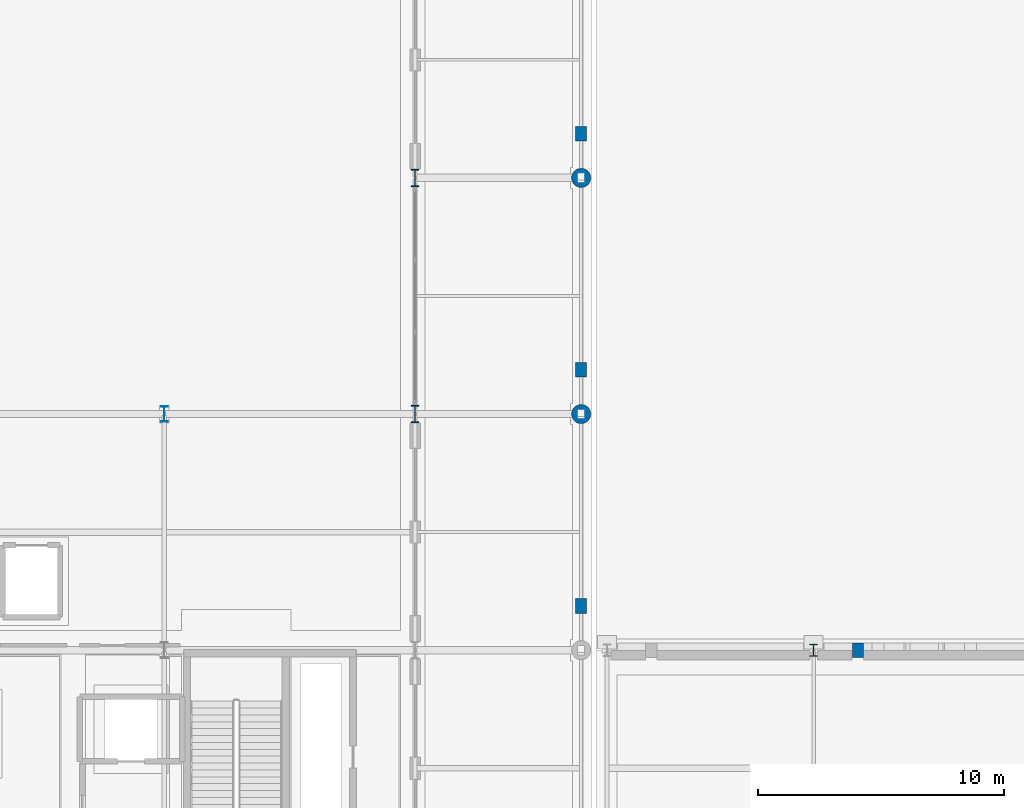
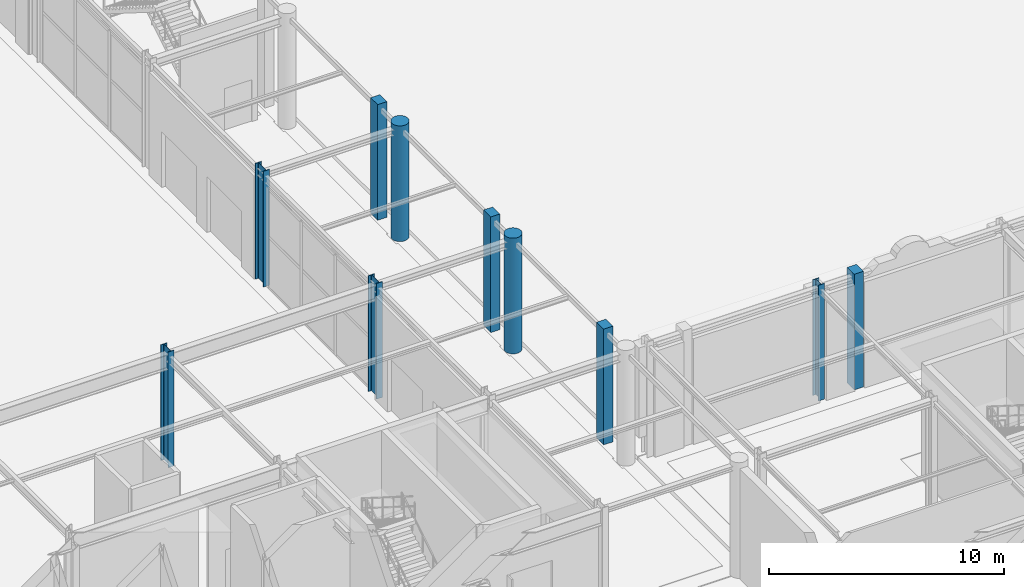
# One storey, part 9 of 113: 10 columns.
"""IFC4 building model written with IfcOpenShell, lengths in metres."""

from ifc_helpers import new_model, si_unit, direction, frame, origin, origin_2d, place, context, subcontext, project, spatial, rectangle, circle, i_section, extrude, material, material_profile, profile_set, type_object, element, save


model = new_model("IFC4")

# Units and contexts
model_context = context("Model", 3, precision=1e-05, world=origin(), true_north=direction((0.0, 1.0)))
body_context = subcontext(model_context, "Body", "Model", "MODEL_VIEW")
ifc_project = project(units=[si_unit("LENGTHUNIT", "METRE"), si_unit("AREAUNIT", "SQUARE_METRE"), si_unit("VOLUMEUNIT", "CUBIC_METRE"), si_unit("PLANEANGLEUNIT", "RADIAN"), si_unit("MASSUNIT", "GRAM", prefix="KILO")], contexts=[model_context])

# Site, building, storey
site_placement = place(None, origin())
site = spatial("IfcSite", under=ifc_project, at=site_placement, CompositionType="ELEMENT")
building_placement = place(site_placement, origin())
building = spatial("IfcBuilding", under=site, at=building_placement, Name="Myrtia Square Station", CompositionType="ELEMENT")
storey_placement = place(building_placement, origin())
storey = spatial("IfcBuildingStorey", under=building, at=storey_placement, Name="L00", CompositionType="ELEMENT", Elevation=0.0)

# Columns
ifc_material_1 = material(Name="Steel S355", Category="steel")
ifc_material_profile_1 = material_profile(ifc_material_1, i_section(OverallWidth=0.300048828125, OverallDepth=0.639892578125, WebThickness=0.013427734375, FlangeThickness=0.02587890625, FilletRadius=0.027099609375, at=origin_2d()), Name="HEA 650")
ifc_profile_set_1 = profile_set([ifc_material_profile_1], Name="Steel S355")
column_type_1 = type_object("IfcColumnType", Name="COL-HEA650", PredefinedType="COLUMN", material=ifc_profile_set_1)
column_1_placement = place(storey_placement, frame((99.60009765625, 48.0, 0.0), z_axis=(0.0, 0.0, 1.0), x_axis=(1.0, 0.0, 0.0)))
element("IfcColumn", 1, at=column_1_placement, inside=storey, type_object=column_type_1, Name="Column L00-0460", PredefinedType="COLUMN", context=body_context, shape_type="SweptSolid", body=[
    extrude(i_section(OverallWidth=0.300048828125, OverallDepth=0.639892578125, WebThickness=0.013427734375, FlangeThickness=0.02587890625, FilletRadius=0.027099609375, at=origin_2d()), origin(), (0.0, 0.0, 1.0), 6.0),
])
ifc_material_profile_2 = material_profile(ifc_material_1, i_section(OverallWidth=0.300048828125, OverallDepth=0.5, WebThickness=0.014404296875, FlangeThickness=0.028076171875, FilletRadius=0.027099609375, at=origin_2d()), Name="HEB 500")
ifc_profile_set_2 = profile_set([ifc_material_profile_2], Name="Steel S355")
column_type_2 = type_object("IfcColumnType", Name="COL-HEB500", PredefinedType="COLUMN", material=ifc_profile_set_2)
column_2_placement = place(storey_placement, frame((126.0, 38.39990234375, 0.0), z_axis=(0.0, 0.0, 1.0), x_axis=(1.0, 0.0, 0.0)))
element("IfcColumn", 2, at=column_2_placement, inside=storey, type_object=column_type_2, Name="Column L00-0605", PredefinedType="COLUMN", context=body_context, shape_type="SweptSolid", body=[
    extrude(i_section(OverallWidth=0.300048828125, OverallDepth=0.5, WebThickness=0.014404296875, FlangeThickness=0.028076171875, FilletRadius=0.027099609375, at=origin_2d()), origin(), (0.0, 0.0, 1.0), 6.0),
])
ifc_material_profile_3 = material_profile(ifc_material_1, i_section(OverallWidth=0.300048828125, OverallDepth=0.699951171875, WebThickness=0.01708984375, FlangeThickness=0.031982421875, FilletRadius=0.027099609375, at=origin_2d()), Name="HEB 700")
ifc_profile_set_3 = profile_set([ifc_material_profile_3], Name="Steel S355")
column_type_3 = type_object("IfcColumnType", Name="COL-HEB700", PredefinedType="COLUMN", material=ifc_profile_set_3)
for number, where, z_axis, x_axis, name in (
    (3, (109.800048828125, 48.0, 0.0), (0.0, 0.0, 1.0), (1.0, 0.0, 0.0), "Column L00-0302"),
    (4, (109.800048828125, 57.60009765625, 0.0), (0.0, 0.0, 1.0), (1.0, 0.0, 0.0), "Column L00-0324"),
):
    element("IfcColumn", number, at=place(storey_placement, frame(where, z_axis=z_axis, x_axis=x_axis)), inside=storey, type_object=column_type_3, Name=name, PredefinedType="COLUMN", context=body_context, shape_type="SweptSolid", body=[
        extrude(i_section(OverallWidth=0.300048828125, OverallDepth=0.699951171875, WebThickness=0.01708984375, FlangeThickness=0.031982421875, FilletRadius=0.027099609375, at=origin_2d()), origin(), (0.0, 0.0, 1.0), 6.0),
    ])
ifc_material_2 = material(Name="Concrete C40/50", Category="concrete")
ifc_material_profile_4 = material_profile(ifc_material_2, circle(Radius=0.389892578125, at=origin_2d()), Name="RC D780")
ifc_profile_set_4 = profile_set([ifc_material_profile_4], Name="Concrete C40/50")
column_type_4 = type_object("IfcColumnType", Name="COL-RCD780", PredefinedType="COLUMN", material=ifc_profile_set_4)
for number, where, z_axis, x_axis, name in (
    (5, (116.550048828125, 48.0, 0.0), (0.0, 0.0, 1.0), (1.0, 0.0, 0.0), "Column L00-0291"),
    (6, (116.550048828125, 57.60009765625, 0.0), (0.0, 0.0, 1.0), (1.0, 0.0, 0.0), "Column L00-0313"),
):
    element("IfcColumn", number, at=place(storey_placement, frame(where, z_axis=z_axis, x_axis=x_axis)), inside=storey, type_object=column_type_4, Name=name, PredefinedType="COLUMN", context=body_context, shape_type="SweptSolid", body=[
        extrude(circle(Radius=0.389892578125, at=origin_2d()), origin(), (0.0, 0.0, 1.0), 6.0),
    ])
ifc_material_profile_5 = material_profile(ifc_material_2, rectangle(XDim=0.449951171875, YDim=0.60009765625, at=origin_2d()), Name="PIL 450x600")
ifc_profile_set_5 = profile_set([ifc_material_profile_5], Name="Concrete C40/50")
column_type_5 = type_object("IfcColumnType", Name="PIL-RC450x600", PredefinedType="PILASTER", material=ifc_profile_set_5)
for number, where, z_axis, x_axis, name in (
    (7, (116.550048828125, 40.199951171875, 0.0), (0.0, 0.0, 1.0), (1.0, 0.0, 0.0), "Portales arcade pilaster L00-01"),
    (8, (116.550048828125, 49.800048828125, 0.0), (0.0, 0.0, 1.0), (1.0, 0.0, 0.0), "Portales arcade pilaster L00-02"),
    (9, (116.550048828125, 59.39990234375, 0.0), (0.0, 0.0, 1.0), (1.0, 0.0, 0.0), "Portales arcade pilaster L00-03"),
    (10, (127.800048828125, 38.39990234375, 0.0), (0.0, 0.0, 1.0), (1.0, 0.0, 0.0), "Portales arcade pilaster L00-07"),
):
    element("IfcColumn", number, at=place(storey_placement, frame(where, z_axis=z_axis, x_axis=x_axis)), inside=storey, type_object=column_type_5, Name=name, PredefinedType="PILASTER", context=body_context, shape_type="SweptSolid", body=[
        extrude(rectangle(XDim=0.449951171875, YDim=0.60009765625, at=origin_2d()), origin(), (0.0, 0.0, 1.0), 6.0),
    ])

save(model, "model.ifc")
